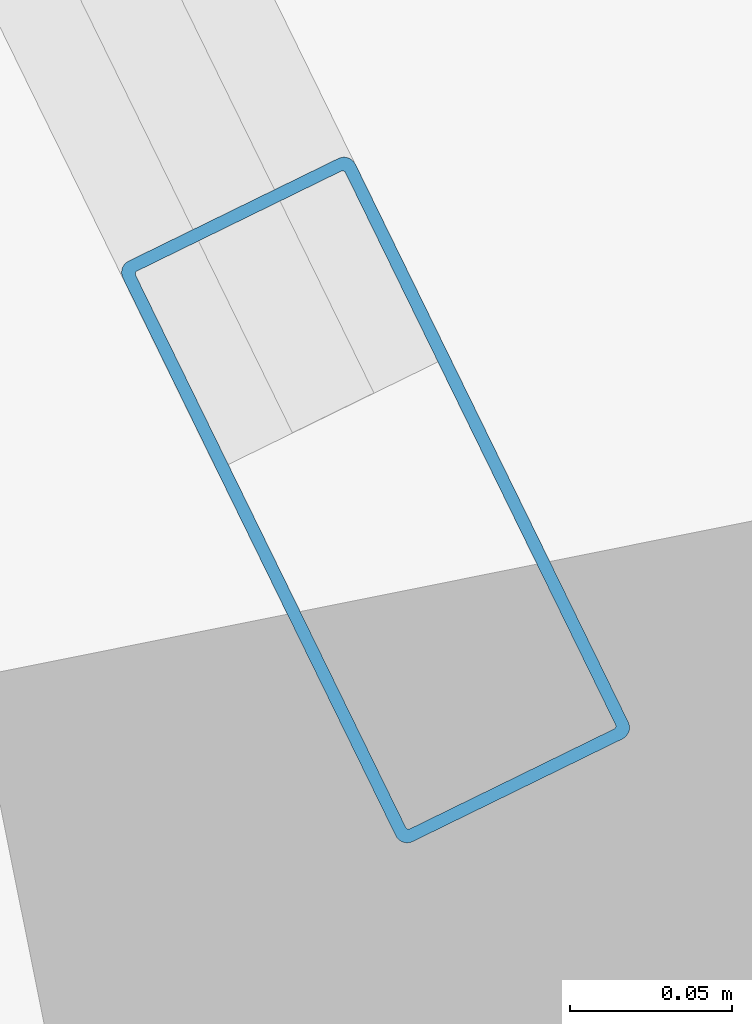
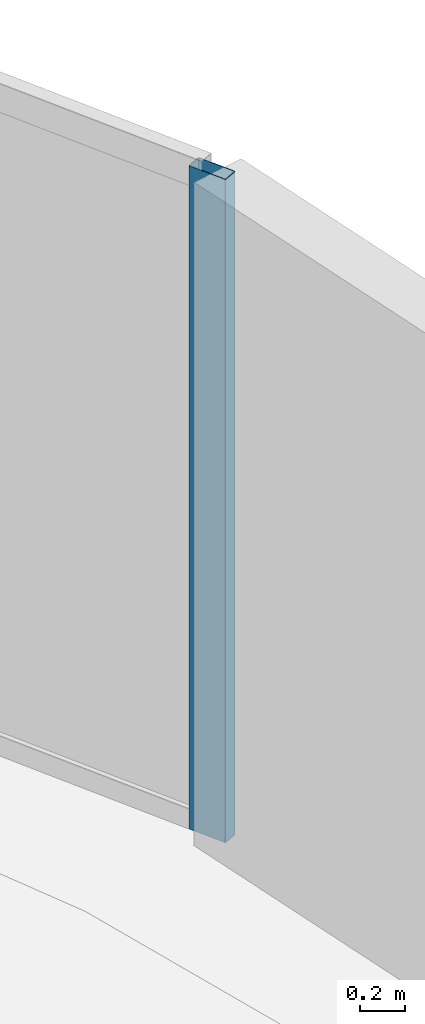
# One storey, part 10 of 21: 1 member, 1 element without a shape of its own.
"""IFC4 building model written with IfcOpenShell, lengths in metres."""

import ifcopenshell
import ifcopenshell.guid

model = None  # the IFC model being written
_history = None  # IfcOwnerHistory: only IFC2X3 demands one
_inside = {}  # id of a spatial element -> (the spatial element, [elements in it])
_under = {}  # id of a project, library or spatial element -> (it, [spatial elements below it])
_declared = {}  # id of a project -> (the project, [libraries it declares])
_typed = {}  # id of a type object -> (the type object, [elements of that type])
_made_of = {}  # id of a material, layer set ... -> (it, [elements and type objects made of it])


def new_model(schema):
    """Start an empty IFC model of exactly this schema.

    Asked for "IFC4X3", IfcOpenShell would pick the latest addendum, in which some entities
    have other attributes; the version numbers below select the first issue.
    IFC2X3 requires an IfcOwnerHistory on every rooted entity: one is made here for all.
    """
    global model, _history
    if schema == "IFC4X3":
        model = ifcopenshell.file(schema_version=(4, 3, 0, 0))
    else:
        model = ifcopenshell.file(schema=schema)
    _inside.clear()
    _under.clear()
    _declared.clear()
    _typed.clear()
    _made_of.clear()
    _history = None
    if model.schema == "IFC2X3":
        org = make("IfcOrganization", Name="unknown")
        user = make(
            "IfcPersonAndOrganization",
            ThePerson=make("IfcPerson", FamilyName="unknown"),
            TheOrganization=org,
        )
        app = make(
            "IfcApplication",
            ApplicationDeveloper=org,
            Version="unknown",
            ApplicationFullName="unknown",
            ApplicationIdentifier="unknown",
        )
        _history = make(
            "IfcOwnerHistory",
            OwningUser=user,
            OwningApplication=app,
            ChangeAction="ADDED",
            CreationDate=0,
        )
    return model


def make(cls, **values):
    """One entity of the class cls with the attributes given. An attribute that is None is left unset."""
    return model.create_entity(
        cls, **{name: value for name, value in values.items() if value is not None}
    )


def rooted(cls, **values):
    """An entity with a GlobalId (a new one), such as an element, a storey or a relation."""
    return make(cls, GlobalId=ifcopenshell.guid.new(), OwnerHistory=_history, **values)


def si_unit(unit_type, name, prefix=None):
    """IfcSIUnit, for example si_unit("LENGTHUNIT", "METRE", prefix="MILLI")."""
    return make("IfcSIUnit", UnitType=unit_type, Prefix=prefix, Name=name)


def assignment(units):
    """IfcUnitAssignment: the units of a project."""
    return None if units is None else make("IfcUnitAssignment", Units=units)


def point(xyz):
    """IfcCartesianPoint."""
    return None if xyz is None else make("IfcCartesianPoint", Coordinates=xyz)


def direction(xyz):
    """IfcDirection."""
    return None if xyz is None else make("IfcDirection", DirectionRatios=xyz)


def frame(location, z_axis=None, x_axis=None):
    """IfcAxis2Placement3D, a coordinate frame: its origin and axes. An axis left out is left unset."""
    return make(
        "IfcAxis2Placement3D",
        Location=point(location),
        Axis=direction(z_axis),
        RefDirection=direction(x_axis),
    )


def frame_2d(location, x_axis=None):
    """IfcAxis2Placement2D, a coordinate frame in the plane: its origin and x axis."""
    return make(
        "IfcAxis2Placement2D", Location=point(location), RefDirection=direction(x_axis)
    )


def origin():
    """The frame at (0, 0, 0) with its axes left unset."""
    return frame((0.0, 0.0, 0.0))


def origin_2d():
    """The frame at (0, 0) in the plane with its x axis left unset."""
    return frame_2d((0.0, 0.0))


def place(relative_to, where):
    """IfcLocalPlacement: puts the frame where relative to a parent placement (None: the world)."""
    return make(
        "IfcLocalPlacement", PlacementRelTo=relative_to, RelativePlacement=where
    )


def context(
    kind, dimensions, precision=None, world=None, true_north=None, identifier=None
):
    """IfcGeometricRepresentationContext, for example the 3D "Model" context."""
    return make(
        "IfcGeometricRepresentationContext",
        ContextIdentifier=identifier,
        ContextType=kind,
        CoordinateSpaceDimension=dimensions,
        Precision=precision,
        WorldCoordinateSystem=world,
        TrueNorth=true_north,
    )


def subcontext(parent, identifier, kind, view, scale=None):
    """IfcGeometricRepresentationSubContext, for example "Body" below "Model"."""
    return make(
        "IfcGeometricRepresentationSubContext",
        ContextIdentifier=identifier,
        ContextType=kind,
        ParentContext=parent,
        TargetScale=scale,
        TargetView=view,
    )


def project(units=None, contexts=None):
    """IfcProject with its units and contexts."""
    return rooted(
        "IfcProject",
        Name="project",
        RepresentationContexts=contexts,
        UnitsInContext=assignment(units),
    )


def spatial(cls, under=None, at=None, **own):
    """A site, building, storey or space (cls), placed at a placement, below another one or the project."""
    s = rooted(cls, ObjectPlacement=at, **own)
    if under is not None:
        _under.setdefault(under.id(), (under, []))[1].append(s)
    return s


def profile(cls, at=None, kind="AREA", **sizes):
    """A parametric profile (cls). Its sizes go by their IFC names, for example OverallWidth=200.0."""
    return make(cls, ProfileType=kind, Position=at, **sizes)


def hollow_rectangle(**sizes):
    """IfcRectangleHollowProfileDef."""
    return profile("IfcRectangleHollowProfileDef", **sizes)


def extrude(swept, where, along, depth):
    """IfcExtrudedAreaSolid: the profile swept, set in the frame where, extruded along a direction by depth."""
    return make(
        "IfcExtrudedAreaSolid",
        SweptArea=swept,
        Position=where,
        ExtrudedDirection=direction(along),
        Depth=depth,
    )


def shape(context_of_items, identifier, shape_type, items):
    """IfcShapeRepresentation: the items that make up one representation, for example the "Body"."""
    return make(
        "IfcShapeRepresentation",
        ContextOfItems=context_of_items,
        RepresentationIdentifier=identifier,
        RepresentationType=shape_type,
        Items=items,
    )


def material(Name=None, Category=None):
    """IfcMaterial."""
    return make("IfcMaterial", Name=Name, Category=Category)


def layer(
    of_material, thickness, ventilated=None, Name=None, Category=None, Priority=None
):
    """IfcMaterialLayer: one layer of a wall or slab, of a material (None: an air gap)."""
    return make(
        "IfcMaterialLayer",
        Material=of_material,
        LayerThickness=thickness,
        IsVentilated=ventilated,
        Name=Name,
        Category=Category,
        Priority=Priority,
    )


def layer_set(layers, Name=None):
    """IfcMaterialLayerSet."""
    return make("IfcMaterialLayerSet", MaterialLayers=layers, LayerSetName=Name)


def material_profile(
    of_material, cross_section, Name=None, Category=None, Priority=None
):
    """IfcMaterialProfile: a cross section and its material."""
    return make(
        "IfcMaterialProfile",
        Name=Name,
        Material=of_material,
        Profile=cross_section,
        Priority=Priority,
        Category=Category,
    )


def profile_set(profiles, Name=None, composite=None):
    """IfcMaterialProfileSet."""
    return make(
        "IfcMaterialProfileSet",
        Name=Name,
        MaterialProfiles=profiles,
        CompositeProfile=composite,
    )


def made_of(thing, what):
    """Note that an element or type object is made of a material, layer set ...; save() writes the relation."""
    if what is not None:
        _made_of.setdefault(what.id(), (what, []))[1].append(thing)
    return thing


def type_object(cls, material=None, **own):
    """A type object (cls), such as IfcWallType, which elements share."""
    return made_of(rooted(cls, **own), material)


def element(
    cls,
    number,
    at=None,
    inside=None,
    cuts=None,
    type_object=None,
    material=None,
    context=None,
    identifier="Body",
    shape_type=None,
    held_by="IfcProductDefinitionShape",
    body=None,
    shapes=None,
    **own,
):
    """One element of the class cls, such as IfcWall. Its Tag is "e" and its number.

    at: its placement. inside: the storey or other place that contains it. cuts: it is an
    opening in that element (IfcRelVoidsElement). A single representation is given by context,
    identifier, shape_type and body (its items); several are given by shapes. held_by: the class
    of the entity that holds the representations. save() writes the other relations.
    """
    e = rooted(cls, Tag="e%d" % number, ObjectPlacement=at, **own)
    if body is not None:
        shapes = [shape(context, identifier, shape_type, body)]
    if shapes is not None:
        e.Representation = make(held_by, Representations=shapes)
    if inside is not None:
        _inside.setdefault(inside.id(), (inside, []))[1].append(e)
    if cuts is not None:
        rooted(
            "IfcRelVoidsElement", RelatingBuildingElement=cuts, RelatedOpeningElement=e
        )
    if type_object is not None:
        _typed.setdefault(type_object.id(), (type_object, []))[1].append(e)
    return made_of(e, material)


def aggregate(whole, parts):
    """IfcRelAggregates: a whole, such as a stair, and the parts it consists of."""
    return rooted("IfcRelAggregates", RelatingObject=whole, RelatedObjects=parts)


def save(model, path):
    """Write the relations noted so far, then the file.

    IfcRelAggregates (storeys below a building ...), IfcRelContainedInSpatialStructure (elements
    in a storey), IfcRelDefinesByType, IfcRelAssociatesMaterial and IfcRelDeclares: one each for
    every whole, place, type object, material and project.
    """
    for whole, parts in _under.values():
        aggregate(whole, parts)
    for where, things in _inside.values():
        rooted(
            "IfcRelContainedInSpatialStructure",
            RelatedElements=things,
            RelatingStructure=where,
        )
    for kind, things in _typed.values():
        rooted("IfcRelDefinesByType", RelatedObjects=things, RelatingType=kind)
    for what, things in _made_of.values():
        rooted("IfcRelAssociatesMaterial", RelatedObjects=things, RelatingMaterial=what)
    for by, libraries in _declared.values():
        rooted("IfcRelDeclares", RelatingContext=by, RelatedDefinitions=libraries)
    model.write(path)


model = new_model("IFC4")

# Units and contexts
model_context = context("Model", 3, precision=1e-05, world=origin(), true_north=direction((0.0, 1.0)))
body_context = subcontext(model_context, "Body", "Model", "MODEL_VIEW")
ifc_project = project(units=[si_unit("LENGTHUNIT", "METRE"), si_unit("AREAUNIT", "SQUARE_METRE"), si_unit("VOLUMEUNIT", "CUBIC_METRE"), si_unit("PLANEANGLEUNIT", "RADIAN"), si_unit("MASSUNIT", "GRAM", prefix="KILO")], contexts=[model_context])

# Site, building, storey
site_placement = place(None, origin())
site = spatial("IfcSite", under=ifc_project, at=site_placement, CompositionType="ELEMENT")
building_placement = place(site_placement, origin())
building = spatial("IfcBuilding", under=site, at=building_placement, Name="Bramvorn Convention Spire", CompositionType="ELEMENT")
storey_placement = place(building_placement, frame((0.0, 0.0, 257.449951171875)))
storey = spatial("IfcBuildingStorey", under=building, at=storey_placement, Name="L65", CompositionType="ELEMENT", Elevation=257.449951171875)

# Curtain wall, member
ifc_material_1 = material(Name="Anodised Bronze Unitised Curtain Wall", Category="aluminium")
ifc_layer = layer(ifc_material_1, 0.179931640625)
ifc_layer_set = layer_set([ifc_layer], Name="Anodised Bronze Unitised Curtain Wall - CW-OFF-FRIT")
curtain_wall_type = type_object("IfcCurtainWallType", Name="CW-OFF-FRIT", PredefinedType="USERDEFINED", material=ifc_layer_set)
curtain_wall_placement = place(storey_placement, origin())
curtain_wall = element("IfcCurtainWall", 1, at=curtain_wall_placement, inside=storey, type_object=curtain_wall_type, Name="L65 fritted glass curtain wall 06", ObjectType="UNITISED CURTAIN WALL", PredefinedType="USERDEFINED")
ifc_material_2 = material(Name="Anodised Bronze Aluminium 6063-T6", Category="aluminium")
ifc_material_profile = material_profile(ifc_material_2, hollow_rectangle(XDim=0.080078125, YDim=0.199951171875, WallThickness=0.00390625, InnerFilletRadius=0.0009765625, OuterFilletRadius=0.00390625, at=origin_2d()))
ifc_profile_set = profile_set([ifc_material_profile], Name="Anodised Bronze Aluminium 6063-T6 - CWM80X200")
member_type = type_object("IfcMemberType", Name="CW-MUL-180", PredefinedType="MULLION", material=ifc_profile_set)
member_placement = place(storey_placement, frame((57.18896484375, 32.607177734375, 0.0), z_axis=(0.0, 0.0, 1.0), x_axis=(0.898266780669, 0.43945055552, 0.0)))
member = element("IfcMember", 2, at=member_placement, type_object=member_type, Name="CW3 mullion 2", PredefinedType="MULLION", context=body_context, shape_type="SweptSolid", body=[
    extrude(hollow_rectangle(XDim=0.080078125, YDim=0.199951171875, WallThickness=0.00390625, InnerFilletRadius=0.0009765625, OuterFilletRadius=0.00390625, at=origin_2d()), origin(), (0.0, 0.0, 1.0), 3.625),
])
aggregate(curtain_wall, [member])

save(model, "model.ifc")
